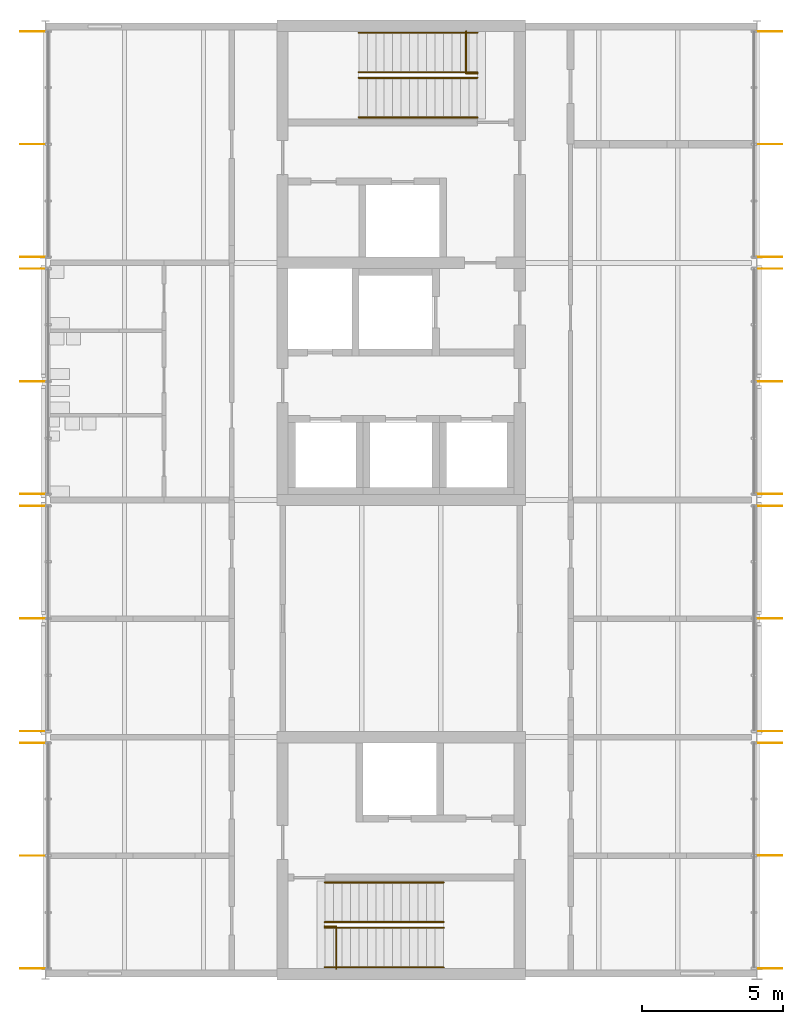
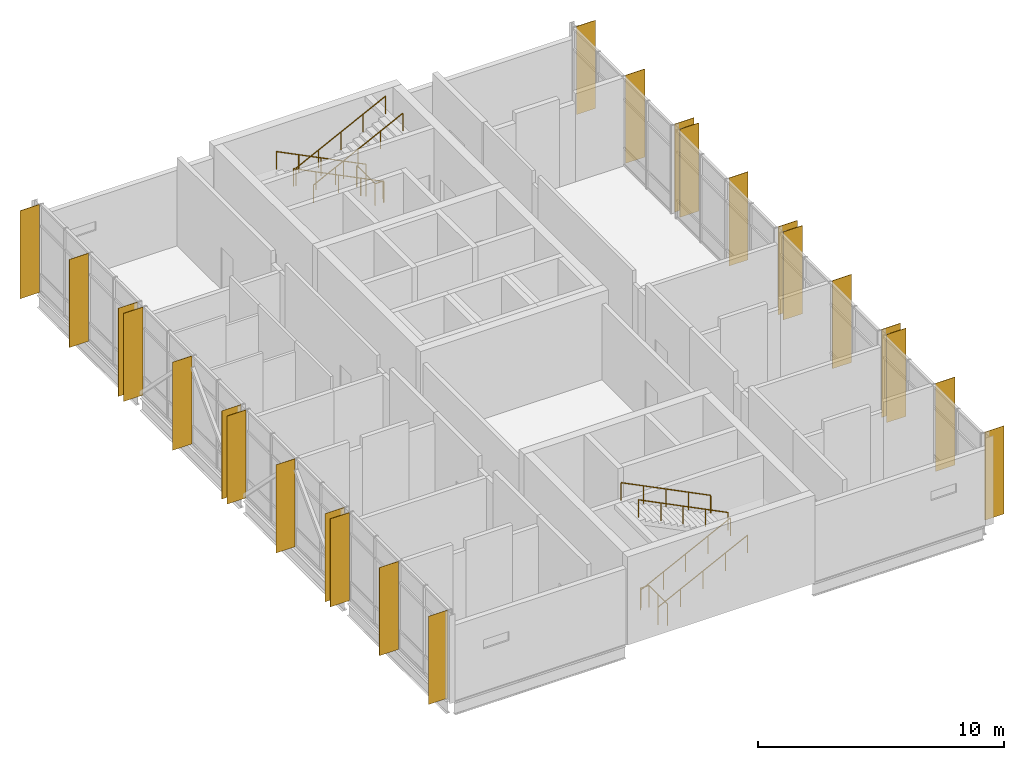
# One storey, part 14 of 15: 24 shading devices, 10 railings.
"""IFC4 building model written with IfcOpenShell, lengths in metres."""

from ifc_helpers import new_model, si_unit, direction, frame, origin, origin_2d, place, context, subcontext, project, spatial, rectangle, circle, extrude, material, layer, layer_set, type_object, element, save


model = new_model("IFC4")

# Units and contexts
model_context = context("Model", 3, precision=1e-05, world=origin(), true_north=direction((0.0, 1.0)))
body_context = subcontext(model_context, "Body", "Model", "MODEL_VIEW")
ifc_project = project(units=[si_unit("LENGTHUNIT", "METRE"), si_unit("AREAUNIT", "SQUARE_METRE"), si_unit("VOLUMEUNIT", "CUBIC_METRE"), si_unit("PLANEANGLEUNIT", "RADIAN"), si_unit("MASSUNIT", "GRAM", prefix="KILO")], contexts=[model_context])

# Site, building, storey
site_placement = place(None, origin())
site = spatial("IfcSite", under=ifc_project, at=site_placement, CompositionType="ELEMENT")
building_placement = place(site_placement, origin())
building = spatial("IfcBuilding", under=site, at=building_placement, Name="Hlaing Beacon Police Headquarters", CompositionType="ELEMENT")
storey_placement = place(building_placement, frame((0.0, 0.0, 32.39990234375)))
storey = spatial("IfcBuildingStorey", under=building, at=storey_placement, Name="L07", CompositionType="ELEMENT", Elevation=32.39990234375)

# Shading devices
ifc_material_1 = material(Name="Aluminium 6063-T5 anodised", Category="aluminium")
ifc_layer = layer(ifc_material_1, 0.01611328125)
ifc_layer_set = layer_set([ifc_layer], Name="Aluminium 6063-T5 anodised")
shading_device_type = type_object("IfcShadingDeviceType", Name="Aluminium fin 16x900", PredefinedType="JALOUSIE", material=ifc_layer_set)
for number, where, z_axis, x_axis, name in (
    (1, (126.449951171875, 33.814208984375, 0.0), (0.0, 0.0, 1.0), (0.0, 1.0, 0.0), "Fin L07 E001.0"),
    (2, (126.449951171875, 37.802001953125, 0.0), (0.0, 0.0, 1.0), (0.0, 1.0, 0.0), "Fin L07 E001.2"),
    (3, (126.449951171875, 41.789794921875, 0.0), (0.0, 0.0, 1.0), (0.0, 1.0, 0.0), "Fin L07 E001.4"),
    (4, (126.449951171875, 42.210205078125, 0.0), (0.0, 0.0, 1.0), (0.0, 1.0, 0.0), "Fin L07 E002.0"),
    (5, (126.449951171875, 46.199951171875, 0.0), (0.0, 0.0, 1.0), (0.0, 1.0, 0.0), "Fin L07 E002.2"),
    (6, (126.449951171875, 50.189697265625, 0.0), (0.0, 0.0, 1.0), (0.0, 1.0, 0.0), "Fin L07 E002.4"),
    (7, (126.449951171875, 50.6103515625, 0.0), (0.0, 0.0, 1.0), (0.0, 1.0, 0.0), "Fin L07 E003.0"),
    (8, (126.449951171875, 54.60009765625, 0.0), (0.0, 0.0, 1.0), (0.0, 1.0, 0.0), "Fin L07 E003.2"),
    (9, (126.449951171875, 58.589599609375, 0.0), (0.0, 0.0, 1.0), (0.0, 1.0, 0.0), "Fin L07 E003.4"),
    (10, (126.449951171875, 59.01025390625, 0.0), (0.0, 0.0, 1.0), (0.0, 1.0, 0.0), "Fin L07 E004.0"),
    (11, (126.449951171875, 63.0, 0.0), (0.0, 0.0, 1.0), (0.0, 1.0, 0.0), "Fin L07 E004.2"),
    (12, (126.449951171875, 66.98974609375, 0.0), (0.0, 0.0, 1.0), (0.0, 1.0, 0.0), "Fin L07 E004.4"),
    (13, (100.35009765625, 66.98974609375, 0.0), (0.0, 0.0, 1.0), (0.0, -1.0, 0.0), "Fin L07 W005.0"),
    (14, (100.35009765625, 63.0, 0.0), (0.0, 0.0, 1.0), (0.0, -1.0, 0.0), "Fin L07 W005.2"),
    (15, (100.35009765625, 59.01025390625, 0.0), (0.0, 0.0, 1.0), (0.0, -1.0, 0.0), "Fin L07 W005.4"),
    (16, (100.35009765625, 58.589599609375, 0.0), (0.0, 0.0, 1.0), (0.0, -1.0, 0.0), "Fin L07 W006.0"),
    (17, (100.35009765625, 54.60009765625, 0.0), (0.0, 0.0, 1.0), (0.0, -1.0, 0.0), "Fin L07 W006.2"),
    (18, (100.35009765625, 50.6103515625, 0.0), (0.0, 0.0, 1.0), (0.0, -1.0, 0.0), "Fin L07 W006.4"),
    (19, (100.35009765625, 50.189697265625, 0.0), (0.0, 0.0, 1.0), (0.0, -1.0, 0.0), "Fin L07 W007.0"),
    (20, (100.35009765625, 46.199951171875, 0.0), (0.0, 0.0, 1.0), (0.0, -1.0, 0.0), "Fin L07 W007.2"),
    (21, (100.35009765625, 42.210205078125, 0.0), (0.0, 0.0, 1.0), (0.0, -1.0, 0.0), "Fin L07 W007.4"),
    (22, (100.35009765625, 41.789794921875, 0.0), (0.0, 0.0, 1.0), (0.0, -1.0, 0.0), "Fin L07 W008.0"),
    (23, (100.35009765625, 37.800048828125, 0.0), (0.0, 0.0, 1.0), (0.0, -1.0, 0.0), "Fin L07 W008.2"),
    (24, (100.35009765625, 33.810302734375, 0.0), (0.0, 0.0, 1.0), (0.0, -1.0, 0.0), "Fin L07 W008.4"),
):
    element("IfcShadingDevice", number, at=place(storey_placement, frame(where, z_axis=z_axis, x_axis=x_axis)), inside=storey, type_object=shading_device_type, Name=name, PredefinedType="JALOUSIE", context=body_context, shape_type="SweptSolid", body=[
        extrude(rectangle(XDim=0.01611328125, YDim=0.89990234375, at=origin_2d()), origin(), (0.0, 0.0, 1.0), 4.3701171875),
    ])

# Railings
ifc_material_2 = material(Name="Stainless steel", Category="steel")
railing_type_1 = type_object("IfcRailingType", Name="Stair guard 1100", PredefinedType="GUARDRAIL", material=ifc_material_2)
railing_1_placement = place(storey_placement, frame((115.699951171875, 67.0, 0.0)))
element("IfcRailing", 25, at=railing_1_placement, inside=storey, type_object=railing_type_1, Name="Guard ST-M", PredefinedType="GUARDRAIL", context=body_context, shape_type="SweptSolid", body=[
    extrude(circle(Radius=0.02392578125, at=origin_2d()), frame((0.0, 0.0, 1.076171875), z_axis=(0.0, -1.0, 0.0), x_axis=(1.0, 0.0, 0.0)), (0.0, 0.0, 1.0), 1.5),
    extrude(circle(Radius=0.02392578125, at=origin_2d()), frame((0.0, -1.5, 1.076171875), z_axis=(1.0, 0.0, 0.0), x_axis=(0.0, 1.0, 0.0)), (0.0, 0.0, 1.0), 0.400146484375),
    extrude(circle(Radius=0.02099609375, at=origin_2d()), origin(), (0.0, 0.0, 1.0), 1.052001953125),
    extrude(circle(Radius=0.02099609375, at=origin_2d()), frame((0.0, -0.75, 0.0)), (0.0, 0.0, 1.0), 1.052001953125),
    extrude(circle(Radius=0.02099609375, at=origin_2d()), frame((0.0, -1.5, 0.0)), (0.0, 0.0, 1.0), 1.052001953125),
    extrude(circle(Radius=0.02099609375, at=origin_2d()), frame((0.400146484375, -1.5, 0.0)), (0.0, 0.0, 1.0), 1.052001953125),
])
railing_2_placement = place(storey_placement, frame((111.10009765625, 33.800048828125, 0.0)))
element("IfcRailing", 26, at=railing_2_placement, inside=storey, type_object=railing_type_1, Name="Guard ST-L", PredefinedType="GUARDRAIL", context=body_context, shape_type="SweptSolid", body=[
    extrude(circle(Radius=0.02392578125, at=origin_2d()), frame((0.0, 0.0, 1.076171875), z_axis=(0.0, 1.0, 0.0), x_axis=(-1.0, 0.0, 0.0)), (0.0, 0.0, 1.0), 1.5),
    extrude(circle(Radius=0.02392578125, at=origin_2d()), frame((0.0, 1.5, 1.076171875), z_axis=(-1.0, 0.0, 0.0), x_axis=(0.0, -1.0, 0.0)), (0.0, 0.0, 1.0), 0.400146484375),
    extrude(circle(Radius=0.02099609375, at=origin_2d()), origin(), (0.0, 0.0, 1.0), 1.052001953125),
    extrude(circle(Radius=0.02099609375, at=origin_2d()), frame((0.0, 0.75, 0.0)), (0.0, 0.0, 1.0), 1.052001953125),
    extrude(circle(Radius=0.02099609375, at=origin_2d()), frame((0.0, 1.5, 0.0)), (0.0, 0.0, 1.0), 1.052001953125),
    extrude(circle(Radius=0.02099609375, at=origin_2d()), frame((-0.400146484375, 1.5, 0.0)), (0.0, 0.0, 1.0), 1.052001953125),
])
ifc_material_3 = material(Name="Stainless steel", Category="steel")
railing_type_2 = type_object("IfcRailingType", Name="Stair handrail 900", PredefinedType="HANDRAIL", material=ifc_material_3)
for number, where, name in (
    (27, (116.10009765625, 66.949951171875, 0.150146484375), "Handrail ST-M"),
    (28, (116.10009765625, 65.550048828125, 0.150146484375), "Handrail ST-M"),
):
    element("IfcRailing", number, at=place(storey_placement, frame(where)), inside=storey, type_object=railing_type_2, Name=name, PredefinedType="HANDRAIL", context=body_context, shape_type="SweptSolid", body=[
        extrude(circle(Radius=0.02392578125, at=origin_2d()), frame((0.0, 0.0, 0.8759765625), z_axis=(-0.894447986312, 0.0, 0.447172002457), x_axis=(0.0, -1.0, 0.0)), (0.0, 0.0, 1.0), 4.69580078125),
        extrude(circle(Radius=0.02099609375, at=origin_2d()), origin(), (0.0, 0.0, 1.0), 0.851806640625),
        extrude(circle(Radius=0.02099609375, at=origin_2d()), frame((-1.050048828125, 0.0, 0.52490234375)), (0.0, 0.0, 1.0), 0.851806640625),
        extrude(circle(Radius=0.02099609375, at=origin_2d()), frame((-2.10009765625, 0.0, 1.0498046875)), (0.0, 0.0, 1.0), 0.851806640625),
        extrude(circle(Radius=0.02099609375, at=origin_2d()), frame((-3.150146484375, 0.0, 1.574951171875)), (0.0, 0.0, 1.0), 0.851806640625),
        extrude(circle(Radius=0.02099609375, at=origin_2d()), frame((-4.2001953125, 0.0, 2.099853515625)), (0.0, 0.0, 1.0), 0.851806640625),
    ])
for number, where, name in (
    (29, (111.89990234375, 65.35009765625, 2.400146484375), "Handrail ST-M"),
    (30, (111.89990234375, 63.949951171875, 2.400146484375), "Handrail ST-M"),
):
    element("IfcRailing", number, at=place(storey_placement, frame(where)), inside=storey, type_object=railing_type_2, Name=name, PredefinedType="HANDRAIL", context=body_context, shape_type="SweptSolid", body=[
        extrude(circle(Radius=0.02392578125, at=origin_2d()), frame((0.0, 0.0, 0.8759765625), z_axis=(0.894447986312, 0.0, 0.447172002457), x_axis=(0.0, 1.0, 0.0)), (0.0, 0.0, 1.0), 4.69580078125),
        extrude(circle(Radius=0.02099609375, at=origin_2d()), origin(), (0.0, 0.0, 1.0), 0.851806640625),
        extrude(circle(Radius=0.02099609375, at=origin_2d()), frame((1.050048828125, 0.0, 0.52490234375)), (0.0, 0.0, 1.0), 0.851806640625),
        extrude(circle(Radius=0.02099609375, at=origin_2d()), frame((2.10009765625, 0.0, 1.0498046875)), (0.0, 0.0, 1.0), 0.851806640625),
        extrude(circle(Radius=0.02099609375, at=origin_2d()), frame((3.150146484375, 0.0, 1.574951171875)), (0.0, 0.0, 1.0), 0.851806640625),
        extrude(circle(Radius=0.02099609375, at=origin_2d()), frame((4.2001953125, 0.0, 2.099853515625)), (0.0, 0.0, 1.0), 0.851806640625),
    ])
for number, where, name in (
    (31, (110.699951171875, 33.85009765625, 0.150146484375), "Handrail ST-L"),
    (32, (110.699951171875, 35.25, 0.150146484375), "Handrail ST-L"),
):
    element("IfcRailing", number, at=place(storey_placement, frame(where)), inside=storey, type_object=railing_type_2, Name=name, PredefinedType="HANDRAIL", context=body_context, shape_type="SweptSolid", body=[
        extrude(circle(Radius=0.02392578125, at=origin_2d()), frame((0.0, 0.0, 0.8759765625), z_axis=(0.894437589381, 0.0, 0.447192798132), x_axis=(0.0, 1.0, 0.0)), (0.0, 0.0, 1.0), 4.695556640625),
        extrude(circle(Radius=0.02099609375, at=origin_2d()), origin(), (0.0, 0.0, 1.0), 0.851806640625),
        extrude(circle(Radius=0.02099609375, at=origin_2d()), frame((1.050048828125, 0.0, 0.52490234375)), (0.0, 0.0, 1.0), 0.851806640625),
        extrude(circle(Radius=0.02099609375, at=origin_2d()), frame((2.10009765625, 0.0, 1.0498046875)), (0.0, 0.0, 1.0), 0.851806640625),
        extrude(circle(Radius=0.02099609375, at=origin_2d()), frame((3.14990234375, 0.0, 1.574951171875)), (0.0, 0.0, 1.0), 0.851806640625),
        extrude(circle(Radius=0.02099609375, at=origin_2d()), frame((4.199951171875, 0.0, 2.099853515625)), (0.0, 0.0, 1.0), 0.851806640625),
    ])
for number, where, name in (
    (33, (114.89990234375, 35.449951171875, 2.400146484375), "Handrail ST-L"),
    (34, (114.89990234375, 36.85009765625, 2.400146484375), "Handrail ST-L"),
):
    element("IfcRailing", number, at=place(storey_placement, frame(where)), inside=storey, type_object=railing_type_2, Name=name, PredefinedType="HANDRAIL", context=body_context, shape_type="SweptSolid", body=[
        extrude(circle(Radius=0.02392578125, at=origin_2d()), frame((0.0, 0.0, 0.8759765625), z_axis=(-0.894437589381, 0.0, 0.447192798132), x_axis=(0.0, -1.0, 0.0)), (0.0, 0.0, 1.0), 4.695556640625),
        extrude(circle(Radius=0.02099609375, at=origin_2d()), origin(), (0.0, 0.0, 1.0), 0.851806640625),
        extrude(circle(Radius=0.02099609375, at=origin_2d()), frame((-1.050048828125, 0.0, 0.52490234375)), (0.0, 0.0, 1.0), 0.851806640625),
        extrude(circle(Radius=0.02099609375, at=origin_2d()), frame((-2.10009765625, 0.0, 1.0498046875)), (0.0, 0.0, 1.0), 0.851806640625),
        extrude(circle(Radius=0.02099609375, at=origin_2d()), frame((-3.14990234375, 0.0, 1.574951171875)), (0.0, 0.0, 1.0), 0.851806640625),
        extrude(circle(Radius=0.02099609375, at=origin_2d()), frame((-4.199951171875, 0.0, 2.099853515625)), (0.0, 0.0, 1.0), 0.851806640625),
    ])

save(model, "model.ifc")
